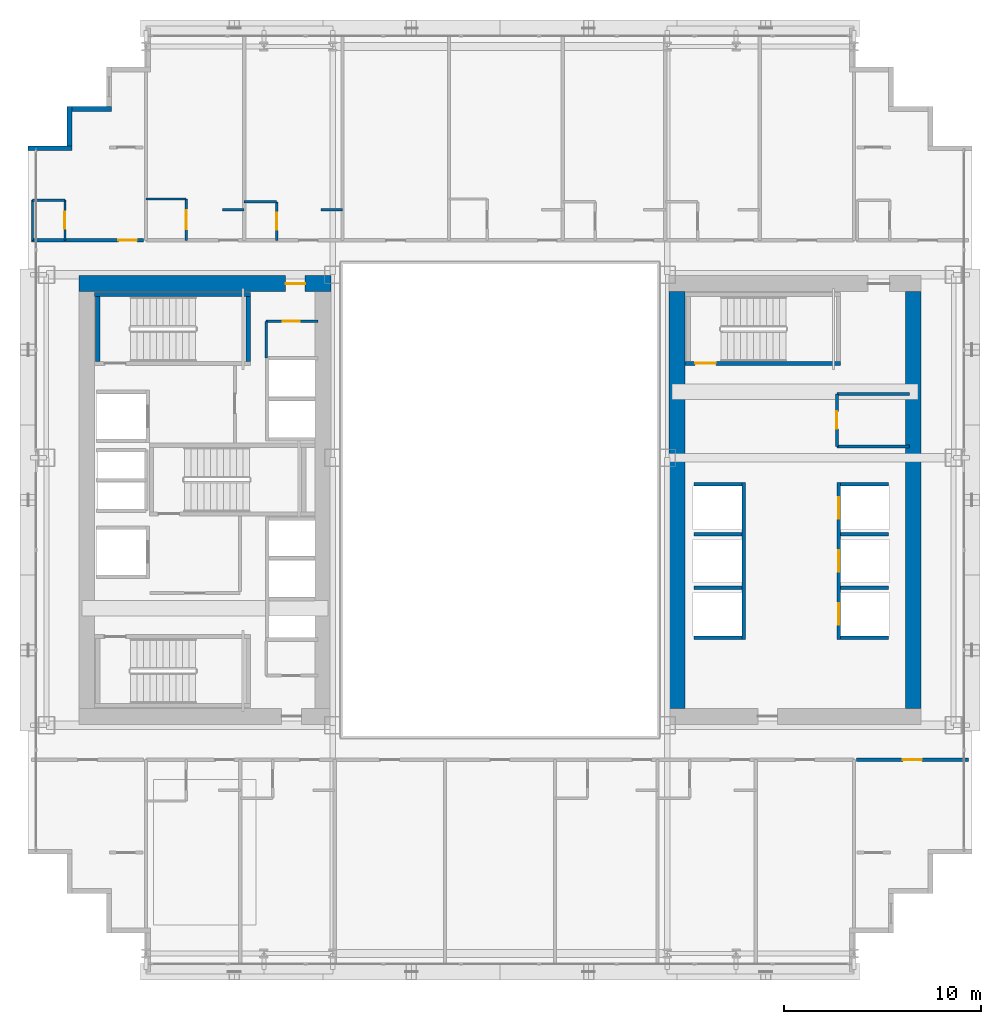
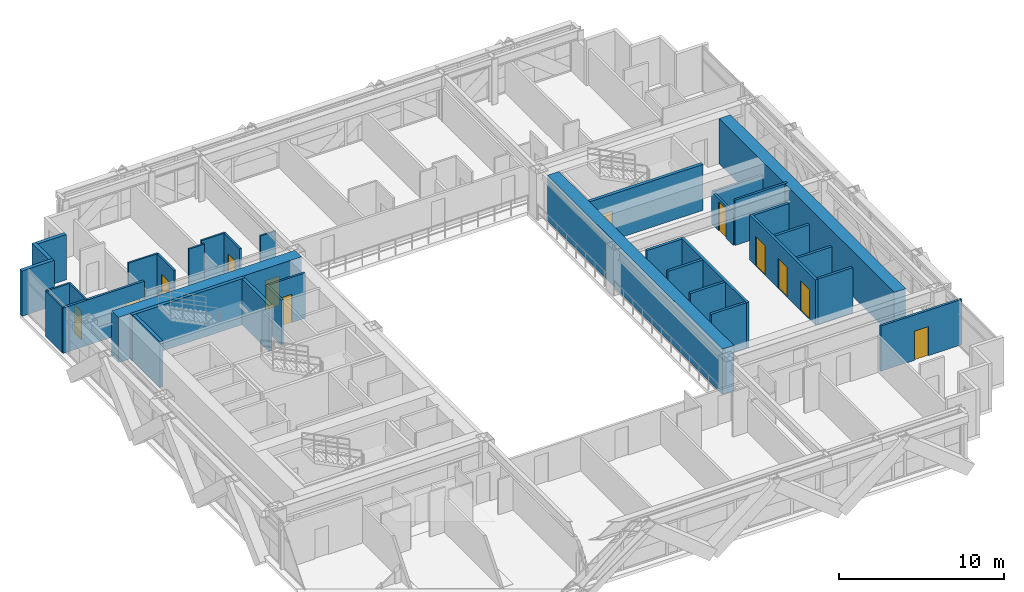
# One storey, part 29 of 35: 36 walls, 12 doors, 12 openings.
"""IFC4 building model written with IfcOpenShell, lengths in metres."""

from ifc_helpers import new_model, si_unit, direction, frame, frame_2d, origin, place, context, subcontext, project, spatial, rectangle, extrude, source, transform, mapped, material, layer, layer_set, type_object, element, fill, save


model = new_model("IFC4")

# Units and contexts
model_context = context("Model", 3, precision=1e-05, world=origin(), true_north=direction((0.0, 1.0)))
body_context = subcontext(model_context, "Body", "Model", "MODEL_VIEW")
ifc_project = project(units=[si_unit("LENGTHUNIT", "METRE"), si_unit("AREAUNIT", "SQUARE_METRE"), si_unit("VOLUMEUNIT", "CUBIC_METRE"), si_unit("PLANEANGLEUNIT", "RADIAN"), si_unit("MASSUNIT", "GRAM", prefix="KILO")], contexts=[model_context])

# Site, building, storey
site_placement = place(None, origin())
site = spatial("IfcSite", under=ifc_project, at=site_placement, CompositionType="ELEMENT")
building_placement = place(site_placement, origin())
building = spatial("IfcBuilding", under=site, at=building_placement, Name="Ocotamira Hotel", CompositionType="ELEMENT")
storey_placement = place(building_placement, frame((0.0, 0.0, 70.800048828125)))
storey = spatial("IfcBuildingStorey", under=building, at=storey_placement, Name="L17", CompositionType="ELEMENT", Elevation=70.800048828125)

# Wall, opening, door
ifc_material_1 = material(Name="Concrete C60/75", Category="concrete")
ifc_layer_1 = layer(ifc_material_1, 0.800048828125)
ifc_layer_set_1 = layer_set([ifc_layer_1], Name="Concrete C60/75")
wall_type_1 = type_object("IfcWallType", Name="WL-CORE-800", PredefinedType="SHEAR", material=ifc_layer_set_1)
wall_1_placement = place(storey_placement, frame((10.60009765625, 37.0, 0.0), z_axis=(0.0, 0.0, 1.0), x_axis=(1.0, 0.0, 0.0)))
wall_1 = element("IfcWall", 1, at=wall_1_placement, inside=storey, type_object=wall_type_1, Name="L17 Shear Core Wall WCORE-N", PredefinedType="SHEAR", context=body_context, shape_type="SweptSolid", body=[
    extrude(rectangle(XDim=12.7998046875, YDim=0.800048828125, at=frame_2d((6.39990234375, 0.0))), origin(), (0.0, 0.0, 1.0), 3.349853515625),
])
opening_1_placement = place(wall_1_placement, frame((10.5, 0.0, 0.0)))
opening_1 = element("IfcOpeningElement", 2, at=opening_1_placement, cuts=wall_1, Name="Opening D-FR2", PredefinedType="OPENING", context=body_context, shape_type="SweptSolid", body=[
    extrude(rectangle(XDim=1.0, YDim=2.14990234375, at=frame_2d((0.5, 1.074951171875))), frame((0.0, 0.41015625, 0.0), z_axis=(0.0, -1.0, 0.0), x_axis=(1.0, 0.0, 0.0)), (0.0, 0.0, 1.0), 0.820068359375),
])
ifc_material_2 = material(Name="Fire-rated acoustic timber-veneer door", Category="wood")
door_type_1 = type_object("IfcDoorType", Name="DR-FIRE-1000", OperationType="NOTDEFINED", PredefinedType="DOOR", material=ifc_material_2)
shared_shape_1 = source(origin(), body_context, "Body", "SweptSolid", [
    extrude(rectangle(XDim=1.0, YDim=2.14990234375, at=frame_2d((0.5, 1.074951171875))), frame((0.0, 0.02490234375, 0.0), z_axis=(0.0, -1.0, 0.0), x_axis=(1.0, 0.0, 0.0)), (0.0, 0.0, 1.0), 0.050048828125),
])
door_1_placement = place(opening_1_placement, origin())
door_1 = element("IfcDoor", 3, at=door_1_placement, inside=storey, type_object=door_type_1, Name="L17 Door ID-L17-WLOB-N-D [ID-L17-WLOB-N-D]", OperationType="SINGLE_SWING_RIGHT", OverallHeight=2.14990234375, OverallWidth=1.0, PredefinedType="DOOR", context=body_context, shape_type="MappedRepresentation", body=[
    mapped(shared_shape_1, transform((0.0, 0.0, 0.0), scale=1.0)),
])
fill(opening_1, door_1)

# Walls
for number, where, z_axis, x_axis, name in (
    (4, (41.0, 15.39990234375, 0.0), (0.0, 0.0, 1.0), (0.0, 1.0, 0.0), "L17 Shear Core Wall ECORE-W"),
    (5, (53.0, 15.39990234375, 0.0), (0.0, 0.0, 1.0), (0.0, 1.0, 0.0), "L17 Shear Core Wall ECORE-E"),
):
    element("IfcWall", number, at=place(storey_placement, frame(where, z_axis=z_axis, x_axis=x_axis)), inside=storey, type_object=wall_type_1, Name=name, PredefinedType="SHEAR", context=body_context, shape_type="SweptSolid", body=[
        extrude(rectangle(XDim=21.2001953125, YDim=0.800048828125, at=frame_2d((10.60009765625, 0.0))), origin(), (0.0, 0.0, 1.0), 3.349853515625),
    ])
ifc_material_3 = material(Name="Precast concrete C45/55", Category="concrete")
ifc_layer_2 = layer(ifc_material_3, 0.25)
ifc_layer_set_2 = layer_set([ifc_layer_2], Name="Precast concrete C45/55")
wall_type_2 = type_object("IfcWallType", Name="WL-EXT-SER-250", PredefinedType="SOLIDWALL", material=ifc_layer_set_2)
for number, where, z_axis, x_axis, name in (
    (6, (12.25, 45.875, 0.0), (0.0, 0.0, 1.0), (-1.0, 0.0, 0.0), "L17 Serrated Corner Wall 16"),
    (7, (10.125, 46.0, 0.0), (0.0, 0.0, 1.0), (0.0, -1.0, 0.0), "L17 Serrated Corner Wall 17"),
):
    element("IfcWall", number, at=place(storey_placement, frame(where, z_axis=z_axis, x_axis=x_axis)), inside=storey, type_object=wall_type_2, Name=name, PredefinedType="SOLIDWALL", context=body_context, shape_type="SweptSolid", body=[
        extrude(rectangle(XDim=2.0, YDim=0.25, at=frame_2d((1.0, 0.0))), origin(), (0.0, 0.0, 1.0), 3.349853515625),
    ])
wall_2_placement = place(storey_placement, frame((10.25, 43.875, 0.0), z_axis=(0.0, 0.0, 1.0), x_axis=(-1.0, 0.0, 0.0)))
element("IfcWall", 8, at=wall_2_placement, inside=storey, type_object=wall_type_2, Name="L17 Serrated Corner Wall 18", PredefinedType="SOLIDWALL", context=body_context, shape_type="SweptSolid", body=[
    extrude(rectangle(XDim=2.25, YDim=0.25, at=frame_2d((1.125, 0.0))), origin(), (0.0, 0.0, 1.0), 3.349853515625),
])
ifc_material_4 = material(Name="Acoustic double-layer fire gypsum board partition", Category="gypsum")
ifc_layer_3 = layer(ifc_material_4, 0.159912109375)
ifc_layer_set_3 = layer_set([ifc_layer_3], Name="Acoustic double-layer fire gypsum board partition")
wall_type_3 = type_object("IfcWallType", Name="WL-FIRE-160", PredefinedType="PARTITIONING", material=ifc_layer_set_3)
wall_3_placement = place(storey_placement, frame((49.1201171875, 28.719970703125, 0.0), z_axis=(0.0, 0.0, 1.0), x_axis=(1.0, 0.0, 0.0)))
element("IfcWall", 9, at=wall_3_placement, inside=storey, type_object=wall_type_3, Name="L17 Interior Wall PW-L17-EC-NEC-S", PredefinedType="PARTITIONING", context=body_context, shape_type="SweptSolid", body=[
    extrude(rectangle(XDim=3.679931640625, YDim=0.159912109375, at=frame_2d((1.83984375, 0.0))), origin(), (0.0, 0.0, 1.0), 3.349853515625),
])
wall_4_placement = place(storey_placement, frame((49.1201171875, 31.3798828125, 0.0), z_axis=(0.0, 0.0, 1.0), x_axis=(1.0, 0.0, 0.0)))
element("IfcWall", 10, at=wall_4_placement, inside=storey, type_object=wall_type_3, Name="L17 Interior Wall PW-L17-EC-NEC-N", PredefinedType="PARTITIONING", context=body_context, shape_type="SweptSolid", body=[
    extrude(rectangle(XDim=3.679931640625, YDim=0.159912109375, at=frame_2d((1.83984375, 0.0))), origin(), (0.0, 0.0, 1.0), 2.35986328125),
])

# Wall, opening, door
wall_5_placement = place(storey_placement, frame((49.1201171875, 28.719970703125, 0.0), z_axis=(0.0, 0.0, 1.0), x_axis=(0.0, 1.0, 0.0)))
wall_5 = element("IfcWall", 11, at=wall_5_placement, inside=storey, type_object=wall_type_3, Name="L17 Interior Wall PW-L17-EC-NEC-W", PredefinedType="PARTITIONING", context=body_context, shape_type="SweptSolid", body=[
    extrude(rectangle(XDim=2.659912109375, YDim=0.159912109375, at=frame_2d((1.330078125, 0.0))), origin(), (0.0, 0.0, 1.0), 2.35986328125),
])
opening_2_placement = place(wall_5_placement, frame((0.89990234375, 0.0, 0.0)))
opening_2 = element("IfcOpeningElement", 12, at=opening_2_placement, cuts=wall_5, Name="Opening D-SV2", PredefinedType="OPENING", context=body_context, shape_type="SweptSolid", body=[
    extrude(rectangle(XDim=0.8798828125, YDim=2.14990234375, at=frame_2d((0.43994140625, 1.074951171875))), frame((0.0, 0.08984375, 0.0), z_axis=(0.0, -1.0, 0.0), x_axis=(1.0, 0.0, 0.0)), (0.0, 0.0, 1.0), 0.179931640625),
])
ifc_material_5 = material(Name="Fire-rated painted steel service door", Category="steel")
door_type_2 = type_object("IfcDoorType", Name="DR-SERV-880", OperationType="NOTDEFINED", PredefinedType="DOOR", material=ifc_material_5)
shared_shape_2 = source(origin(), body_context, "Body", "SweptSolid", [
    extrude(rectangle(XDim=0.8798828125, YDim=2.14990234375, at=frame_2d((0.43994140625, 1.074951171875))), frame((0.0, 0.02490234375, 0.0), z_axis=(0.0, -1.0, 0.0), x_axis=(1.0, 0.0, 0.0)), (0.0, 0.0, 1.0), 0.050048828125),
])
door_2_placement = place(opening_2_placement, origin())
door_2 = element("IfcDoor", 13, at=door_2_placement, inside=storey, type_object=door_type_2, Name="L17 Door ID-L17-EC-NEC-D [ID-L17-EC-NEC-D]", OperationType="SINGLE_SWING_LEFT", OverallHeight=2.14990234375, OverallWidth=0.8798828125, PredefinedType="DOOR", context=body_context, shape_type="MappedRepresentation", body=[
    mapped(shared_shape_2, transform((0.0, 0.0, 0.0), scale=1.0)),
])
fill(opening_2, door_2)

wall_6_placement = place(storey_placement, frame((50.1201171875, 12.800048828125, 0.0), z_axis=(0.0, 0.0, 1.0), x_axis=(1.0, 0.0, 0.0)))
wall_6 = element("IfcWall", 14, at=wall_6_placement, inside=storey, type_object=wall_type_3, Name="L17 Interior Wall PW-L17-Z1D-CSE-CW", PredefinedType="PARTITIONING", context=body_context, shape_type="SweptSolid", body=[
    extrude(rectangle(XDim=5.679931640625, YDim=0.159912109375, at=frame_2d((2.83984375, 0.0))), origin(), (0.0, 0.0, 1.0), 3.349853515625),
])
opening_3_placement = place(wall_6_placement, frame((2.360107421875, 0.0, 0.0)))
opening_3 = element("IfcOpeningElement", 15, at=opening_3_placement, cuts=wall_6, Name="Opening D-SV4", PredefinedType="OPENING", context=body_context, shape_type="SweptSolid", body=[
    extrude(rectangle(XDim=0.9599609375, YDim=2.14990234375, at=frame_2d((0.47998046875, 1.074951171875))), frame((0.0, 0.08984375, 0.0), z_axis=(0.0, -1.0, 0.0), x_axis=(1.0, 0.0, 0.0)), (0.0, 0.0, 1.0), 0.179931640625),
])
ifc_material_6 = material(Name="Fire-rated accessible walnut salon door", Category="wood")
door_type_3 = type_object("IfcDoorType", Name="DR-SERV-960", OperationType="NOTDEFINED", PredefinedType="DOOR", material=ifc_material_6)
shared_shape_3 = source(origin(), body_context, "Body", "SweptSolid", [
    extrude(rectangle(XDim=0.9599609375, YDim=2.14990234375, at=frame_2d((0.47998046875, 1.074951171875))), frame((0.0, 0.02490234375, 0.0), z_axis=(0.0, -1.0, 0.0), x_axis=(1.0, 0.0, 0.0)), (0.0, 0.0, 1.0), 0.050048828125),
])
door_3_placement = place(opening_3_placement, origin())
door_3 = element("IfcDoor", 16, at=door_3_placement, inside=storey, type_object=door_type_3, Name="L17 Door ID-L17-Z1D-CSE-CD [ID-L17-Z1D-CSE-CD]", OperationType="SINGLE_SWING_LEFT", OverallHeight=2.14990234375, OverallWidth=0.9599609375, PredefinedType="DOOR", context=body_context, shape_type="MappedRepresentation", body=[
    mapped(shared_shape_3, transform((0.0, 0.0, 0.0), scale=1.0)),
])
fill(opening_3, door_3)

wall_7_placement = place(storey_placement, frame((8.199951171875, 39.199951171875, 0.0), z_axis=(0.0, 0.0, 1.0), x_axis=(1.0, 0.0, 0.0)))
wall_7 = element("IfcWall", 17, at=wall_7_placement, inside=storey, type_object=wall_type_3, Name="L17 Interior Wall PW-L17-Z1D-CNW-CW", PredefinedType="PARTITIONING", context=body_context, shape_type="SweptSolid", body=[
    extrude(rectangle(XDim=5.679931640625, YDim=0.159912109375, at=frame_2d((2.83984375, 0.0))), origin(), (0.0, 0.0, 1.0), 3.349853515625),
])
opening_4_placement = place(wall_7_placement, frame((4.39990234375, 0.0, 0.0)))
opening_4 = element("IfcOpeningElement", 18, at=opening_4_placement, cuts=wall_7, Name="Opening D-GR1", PredefinedType="OPENING", context=body_context, shape_type="SweptSolid", body=[
    extrude(rectangle(XDim=0.93994140625, YDim=2.14990234375, at=frame_2d((0.469970703125, 1.074951171875))), frame((0.0, 0.08984375, 0.0), z_axis=(0.0, -1.0, 0.0), x_axis=(1.0, 0.0, 0.0)), (0.0, 0.0, 1.0), 0.179931640625),
])
ifc_material_7 = material(Name="Solid-core walnut suite entrance fire door", Category="wood")
door_type_4 = type_object("IfcDoorType", Name="DR-GUEST-940", OperationType="NOTDEFINED", PredefinedType="DOOR", material=ifc_material_7)
shared_shape_4 = source(origin(), body_context, "Body", "SweptSolid", [
    extrude(rectangle(XDim=0.93994140625, YDim=2.14990234375, at=frame_2d((0.469970703125, 1.074951171875))), frame((0.0, 0.02490234375, 0.0), z_axis=(0.0, -1.0, 0.0), x_axis=(1.0, 0.0, 0.0)), (0.0, 0.0, 1.0), 0.050048828125),
])
door_4_placement = place(opening_4_placement, origin())
door_4 = element("IfcDoor", 19, at=door_4_placement, inside=storey, type_object=door_type_4, Name="L17 Door ID-L17-Z1D-CNW-CD [ID-L17-Z1D-CNW-CD]", OperationType="SINGLE_SWING_RIGHT", OverallHeight=2.14990234375, OverallWidth=0.93994140625, PredefinedType="DOOR", context=body_context, shape_type="MappedRepresentation", body=[
    mapped(shared_shape_4, transform((0.0, 0.0, 0.0), scale=1.0)),
])
fill(opening_4, door_4)

ifc_material_8 = material(Name="Moisture-resistant en-suite tile and gypsum partition", Category="gypsum")
ifc_layer_4 = layer(ifc_material_8, 0.1201171875)
ifc_layer_set_4 = layer_set([ifc_layer_4], Name="Moisture-resistant en-suite tile and gypsum partition")
wall_type_4 = type_object("IfcWallType", Name="WL-PART-120", PredefinedType="PARTITIONING", material=ifc_layer_set_4)
wall_8_placement = place(storey_placement, frame((9.889892578125, 39.199951171875, 0.0), z_axis=(0.0, 0.0, 1.0), x_axis=(0.0, 1.0, 0.0)))
wall_8 = element("IfcWall", 20, at=wall_8_placement, inside=storey, type_object=wall_type_4, Name="L17 Interior Wall PW-L17-Z1D-CNW-BE", PredefinedType="PARTITIONING", context=body_context, shape_type="SweptSolid", body=[
    extrude(rectangle(XDim=2.0400390625, YDim=0.1201171875, at=frame_2d((1.02001953125, 0.0))), origin(), (0.0, 0.0, 1.0), 3.349853515625),
])
opening_5_placement = place(wall_8_placement, frame((0.590087890625, 0.0, 0.0)))
opening_5 = element("IfcOpeningElement", 21, at=opening_5_placement, cuts=wall_8, Name="Opening D-BA1", PredefinedType="OPENING", context=body_context, shape_type="SweptSolid", body=[
    extrude(rectangle(XDim=0.860107421875, YDim=2.10009765625, at=frame_2d((0.43017578125, 1.050048828125))), frame((0.0, 0.070068359375, 0.0), z_axis=(0.0, -1.0, 0.0), x_axis=(1.0, 0.0, 0.0)), (0.0, 0.0, 1.0), 0.14013671875),
])
ifc_material_9 = material(Name="Moisture-sealed en-suite timber door", Category="wood")
door_type_5 = type_object("IfcDoorType", Name="DR-BATH-860", OperationType="NOTDEFINED", PredefinedType="DOOR", material=ifc_material_9)
shared_shape_5 = source(origin(), body_context, "Body", "SweptSolid", [
    extrude(rectangle(XDim=0.860107421875, YDim=2.10009765625, at=frame_2d((0.43017578125, 1.050048828125))), frame((0.0, 0.02490234375, 0.0), z_axis=(0.0, -1.0, 0.0), x_axis=(1.0, 0.0, 0.0)), (0.0, 0.0, 1.0), 0.050048828125),
])
door_5_placement = place(opening_5_placement, origin())
door_5 = element("IfcDoor", 22, at=door_5_placement, inside=storey, type_object=door_type_5, Name="L17 Door ID-L17-Z1D-CNW-BD [ID-L17-Z1D-CNW-BD]", OperationType="SINGLE_SWING_LEFT", OverallHeight=2.10009765625, OverallWidth=0.860107421875, PredefinedType="DOOR", context=body_context, shape_type="MappedRepresentation", body=[
    mapped(shared_shape_5, transform((0.0, 0.0, 0.0), scale=1.0)),
])
fill(opening_5, door_5)

# Walls
wall_9_placement = place(storey_placement, frame((8.239990234375, 39.199951171875, 0.0), z_axis=(0.0, 0.0, 1.0), x_axis=(0.0, 1.0, 0.0)))
element("IfcWall", 23, at=wall_9_placement, inside=storey, type_object=wall_type_4, Name="L17 Interior Wall PW-L17-Z1D-CNW-BW", PredefinedType="PARTITIONING", context=body_context, shape_type="SweptSolid", body=[
    extrude(rectangle(XDim=2.0400390625, YDim=0.1201171875, at=frame_2d((1.02001953125, 0.0))), origin(), (0.0, 0.0, 1.0), 3.349853515625),
])
wall_10_placement = place(storey_placement, frame((8.239990234375, 41.239990234375, 0.0), z_axis=(0.0, 0.0, 1.0), x_axis=(1.0, 0.0, 0.0)))
element("IfcWall", 24, at=wall_10_placement, inside=storey, type_object=wall_type_4, Name="L17 Interior Wall PW-L17-Z1D-CNW-BH", PredefinedType="PARTITIONING", context=body_context, shape_type="SweptSolid", body=[
    extrude(rectangle(XDim=1.64990234375, YDim=0.1201171875, at=frame_2d((0.824951171875, 0.0))), origin(), (0.0, 0.0, 1.0), 3.349853515625),
])

# Wall, opening, door
wall_11_placement = place(storey_placement, frame((16.050048828125, 39.199951171875, 0.0), z_axis=(0.0, 0.0, 1.0), x_axis=(0.0, 1.0, 0.0)))
wall_11 = element("IfcWall", 25, at=wall_11_placement, inside=storey, type_object=wall_type_4, Name="L17 Interior Wall PW-L17-Z1DN-BAE1", PredefinedType="PARTITIONING", context=body_context, shape_type="SweptSolid", body=[
    extrude(rectangle(XDim=2.10009765625, YDim=0.1201171875, at=frame_2d((1.050048828125, 0.0))), origin(), (0.0, 0.0, 1.0), 3.349853515625),
])
opening_6_placement = place(wall_11_placement, frame((0.570068359375, 0.0, 0.0)))
opening_6 = element("IfcOpeningElement", 26, at=opening_6_placement, cuts=wall_11, Name="Opening D-IN1", PredefinedType="OPENING", context=body_context, shape_type="SweptSolid", body=[
    extrude(rectangle(XDim=0.9599609375, YDim=2.14990234375, at=frame_2d((0.47998046875, 1.074951171875))), frame((0.0, 0.070068359375, 0.0), z_axis=(0.0, -1.0, 0.0), x_axis=(1.0, 0.0, 0.0)), (0.0, 0.0, 1.0), 0.14013671875),
])
ifc_material_10 = material(Name="Accessible walnut interior room door", Category="wood")
door_type_6 = type_object("IfcDoorType", Name="DR-INT-960", OperationType="NOTDEFINED", PredefinedType="DOOR", material=ifc_material_10)
door_6_placement = place(opening_6_placement, origin())
door_6 = element("IfcDoor", 27, at=door_6_placement, inside=storey, type_object=door_type_6, Name="L17 Door ID-L17-Z1DN-BAD1 [ID-L17-Z1DN-BAD1]", OperationType="SINGLE_SWING_RIGHT", OverallHeight=2.14990234375, OverallWidth=0.9599609375, PredefinedType="DOOR", context=body_context, shape_type="MappedRepresentation", body=[
    mapped(shared_shape_3, transform((0.0, 0.0, 0.0), scale=1.0)),
])
fill(opening_6, door_6)

# Walls
wall_12_placement = place(storey_placement, frame((14.0, 41.300048828125, 0.0), z_axis=(0.0, 0.0, 1.0), x_axis=(1.0, 0.0, 0.0)))
element("IfcWall", 28, at=wall_12_placement, inside=storey, type_object=wall_type_4, Name="L17 Interior Wall PW-L17-Z1DN-BAN1", PredefinedType="PARTITIONING", context=body_context, shape_type="SweptSolid", body=[
    extrude(rectangle(XDim=2.050048828125, YDim=0.1201171875, at=frame_2d((1.02490234375, 0.0))), origin(), (0.0, 0.0, 1.0), 3.349853515625),
])
wall_13_placement = place(storey_placement, frame((17.89990234375, 40.75, 0.0), z_axis=(0.0, 0.0, 1.0), x_axis=(1.0, 0.0, 0.0)))
element("IfcWall", 29, at=wall_13_placement, inside=storey, type_object=wall_type_4, Name="L17 Interior Wall PW-L17-Z1DN-DRN1", PredefinedType="PARTITIONING", context=body_context, shape_type="SweptSolid", body=[
    extrude(rectangle(XDim=1.10009765625, YDim=0.1201171875, at=frame_2d((0.550048828125, 0.0))), origin(), (0.0, 0.0, 1.0), 3.349853515625),
])

# Wall, opening, door
wall_14_placement = place(storey_placement, frame((20.64990234375, 39.199951171875, 0.0), z_axis=(0.0, 0.0, 1.0), x_axis=(0.0, 1.0, 0.0)))
wall_14 = element("IfcWall", 30, at=wall_14_placement, inside=storey, type_object=wall_type_4, Name="L17 Interior Wall PW-L17-Z1DN-BAE2", PredefinedType="PARTITIONING", context=body_context, shape_type="SweptSolid", body=[
    extrude(rectangle(XDim=1.949951171875, YDim=0.1201171875, at=frame_2d((0.97509765625, 0.0))), origin(), (0.0, 0.0, 1.0), 3.349853515625),
])
opening_7_placement = place(wall_14_placement, frame((0.544921875, 0.0, 0.0)))
opening_7 = element("IfcOpeningElement", 31, at=opening_7_placement, cuts=wall_14, Name="Opening D-BA1", PredefinedType="OPENING", context=body_context, shape_type="SweptSolid", body=[
    extrude(rectangle(XDim=0.860107421875, YDim=2.10009765625, at=frame_2d((0.43017578125, 1.050048828125))), frame((0.0, 0.070068359375, 0.0), z_axis=(0.0, -1.0, 0.0), x_axis=(1.0, 0.0, 0.0)), (0.0, 0.0, 1.0), 0.14013671875),
])
door_7_placement = place(opening_7_placement, origin())
door_7 = element("IfcDoor", 32, at=door_7_placement, inside=storey, type_object=door_type_5, Name="L17 Door ID-L17-Z1DN-BAD2 [ID-L17-Z1DN-BAD2]", OperationType="SINGLE_SWING_LEFT", OverallHeight=2.10009765625, OverallWidth=0.860107421875, PredefinedType="DOOR", context=body_context, shape_type="MappedRepresentation", body=[
    mapped(shared_shape_5, transform((0.0, 0.0, 0.0), scale=1.0)),
])
fill(opening_7, door_7)

# Walls
wall_15_placement = place(storey_placement, frame((19.0, 41.14990234375, 0.0), z_axis=(0.0, 0.0, 1.0), x_axis=(1.0, 0.0, 0.0)))
element("IfcWall", 33, at=wall_15_placement, inside=storey, type_object=wall_type_4, Name="L17 Interior Wall PW-L17-Z1DN-BAN2", PredefinedType="PARTITIONING", context=body_context, shape_type="SweptSolid", body=[
    extrude(rectangle(XDim=1.64990234375, YDim=0.1201171875, at=frame_2d((0.824951171875, 0.0))), origin(), (0.0, 0.0, 1.0), 3.349853515625),
])
wall_16_placement = place(storey_placement, frame((22.89990234375, 40.75, 0.0), z_axis=(0.0, 0.0, 1.0), x_axis=(1.0, 0.0, 0.0)))
element("IfcWall", 34, at=wall_16_placement, inside=storey, type_object=wall_type_4, Name="L17 Interior Wall PW-L17-Z1DN-DRN2", PredefinedType="PARTITIONING", context=body_context, shape_type="SweptSolid", body=[
    extrude(rectangle(XDim=1.10009765625, YDim=0.1201171875, at=frame_2d((0.550048828125, 0.0))), origin(), (0.0, 0.0, 1.0), 2.571044921875),
])
ifc_material_11 = material(Name="Acoustic hospitality gypsum board partition", Category="gypsum")
ifc_layer_5 = layer(ifc_material_11, 0.14208984375)
ifc_layer_set_5 = layer_set([ifc_layer_5], Name="Acoustic hospitality gypsum board partition")
wall_type_5 = type_object("IfcWallType", Name="WL-PART-142", PredefinedType="PARTITIONING", material=ifc_layer_set_5)
wall_17_placement = place(storey_placement, frame((20.1201171875, 33.219970703125, 0.0), z_axis=(0.0, 0.0, 1.0), x_axis=(0.0, 1.0, 0.0)))
element("IfcWall", 35, at=wall_17_placement, inside=storey, type_object=wall_type_5, Name="L17 Interior Wall PW-L17-WC-NE-W2", PredefinedType="PARTITIONING", context=body_context, shape_type="SweptSolid", body=[
    extrude(rectangle(XDim=1.860107421875, YDim=0.14208984375, at=frame_2d((0.93017578125, 0.0))), origin(), (0.0, 0.0, 1.0), 3.349853515625),
])

# Wall, opening, door
wall_18_placement = place(storey_placement, frame((20.1201171875, 35.080078125, 0.0), z_axis=(0.0, 0.0, 1.0), x_axis=(1.0, 0.0, 0.0)))
wall_18 = element("IfcWall", 36, at=wall_18_placement, inside=storey, type_object=wall_type_5, Name="L17 Interior Wall PW-L17-WC-NE-N2", PredefinedType="PARTITIONING", context=body_context, shape_type="SweptSolid", body=[
    extrude(rectangle(XDim=2.6298828125, YDim=0.14208984375, at=frame_2d((1.31494140625, 0.0))), origin(), (0.0, 0.0, 1.0), 3.349853515625),
])
opening_8_placement = place(wall_18_placement, frame((0.85009765625, 0.0, 0.0)))
opening_8 = element("IfcOpeningElement", 37, at=opening_8_placement, cuts=wall_18, Name="Opening D-SV1", PredefinedType="OPENING", context=body_context, shape_type="SweptSolid", body=[
    extrude(rectangle(XDim=0.840087890625, YDim=2.10009765625, at=frame_2d((0.419921875, 1.050048828125))), frame((0.0, 0.0810546875, 0.0), z_axis=(0.0, -1.0, 0.0), x_axis=(1.0, 0.0, 0.0)), (0.0, 0.0, 1.0), 0.162109375),
])
door_type_7 = type_object("IfcDoorType", Name="DR-SERV-840", OperationType="NOTDEFINED", PredefinedType="DOOR", material=ifc_material_5)
shared_shape_6 = source(origin(), body_context, "Body", "SweptSolid", [
    extrude(rectangle(XDim=0.840087890625, YDim=2.10009765625, at=frame_2d((0.419921875, 1.050048828125))), frame((0.0, 0.02490234375, 0.0), z_axis=(0.0, -1.0, 0.0), x_axis=(1.0, 0.0, 0.0)), (0.0, 0.0, 1.0), 0.050048828125),
])
door_8_placement = place(opening_8_placement, origin())
door_8 = element("IfcDoor", 38, at=door_8_placement, inside=storey, type_object=door_type_7, Name="L17 Door ID-L17-WC-NE-D2 [ID-L17-WC-NE-D2]", OperationType="SINGLE_SWING_RIGHT", OverallHeight=2.10009765625, OverallWidth=0.840087890625, PredefinedType="DOOR", context=body_context, shape_type="MappedRepresentation", body=[
    mapped(shared_shape_6, transform((0.0, 0.0, 0.0), scale=1.0)),
])
fill(opening_8, door_8)

# Wall, openings, doors
ifc_material_12 = material(Name="Fire-rated gypsum shaftliner board assembly", Category="gypsum")
ifc_layer_6 = layer(ifc_material_12, 0.179931640625)
ifc_layer_set_6 = layer_set([ifc_layer_6], Name="Fire-rated gypsum shaftliner board assembly")
wall_type_6 = type_object("IfcWallType", Name="WL-SHAFT-180", PredefinedType="SOLIDWALL", material=ifc_layer_set_6)
wall_19_placement = place(storey_placement, frame((49.2099609375, 18.919921875, 0.0), z_axis=(0.0, 0.0, 1.0), x_axis=(0.0, 1.0, 0.0)))
wall_19 = element("IfcWall", 39, at=wall_19_placement, inside=storey, type_object=wall_type_6, Name="L17 Interior Wall PW-L17-LFW-BANK-low-F", PredefinedType="SOLIDWALL", context=body_context, shape_type="SweptSolid", body=[
    extrude(rectangle(XDim=7.9599609375, YDim=0.179931640625, at=frame_2d((3.97998046875, 0.0))), origin(), (0.0, 0.0, 1.0), 3.349853515625),
])
opening_9_placement = place(wall_19_placement, frame((0.72998046875, 0.0, 0.0)))
opening_9 = element("IfcOpeningElement", 40, at=opening_9_placement, cuts=wall_19, Name="Opening LD-LF-P1", PredefinedType="OPENING", context=body_context, shape_type="SweptSolid", body=[
    extrude(rectangle(XDim=1.10009765625, YDim=2.199951171875, at=frame_2d((0.550048828125, 1.10009765625))), frame((0.0, 0.10009765625, 0.0), z_axis=(0.0, -1.0, 0.0), x_axis=(1.0, 0.0, 0.0)), (0.0, 0.0, 1.0), 0.199951171875),
])
opening_10_placement = place(wall_19_placement, frame((3.429931640625, 0.0, 0.0)))
opening_10 = element("IfcOpeningElement", 41, at=opening_10_placement, cuts=wall_19, Name="Opening LD-LF-P2", PredefinedType="OPENING", context=body_context, shape_type="SweptSolid", body=[
    extrude(rectangle(XDim=1.10009765625, YDim=2.199951171875, at=frame_2d((0.550048828125, 1.10009765625))), frame((0.0, 0.10009765625, 0.0), z_axis=(0.0, -1.0, 0.0), x_axis=(1.0, 0.0, 0.0)), (0.0, 0.0, 1.0), 0.199951171875),
])
opening_11_placement = place(wall_19_placement, frame((6.1298828125, 0.0, 0.0)))
opening_11 = element("IfcOpeningElement", 42, at=opening_11_placement, cuts=wall_19, Name="Opening LD-LF-P3", PredefinedType="OPENING", context=body_context, shape_type="SweptSolid", body=[
    extrude(rectangle(XDim=1.10009765625, YDim=2.199951171875, at=frame_2d((0.550048828125, 1.10009765625))), frame((0.0, 0.10009765625, 0.0), z_axis=(0.0, -1.0, 0.0), x_axis=(1.0, 0.0, 0.0)), (0.0, 0.0, 1.0), 0.199951171875),
])
ifc_material_13 = material(Name="Brushed pale-metal stainless elevator landing door", Category="steel")
door_type_8 = type_object("IfcDoorType", Name="DR-LIFT-1100", OperationType="NOTDEFINED", PredefinedType="DOOR", material=ifc_material_13)
shared_shape_7 = source(origin(), body_context, "Body", "SweptSolid", [
    extrude(rectangle(XDim=1.10009765625, YDim=2.199951171875, at=frame_2d((0.550048828125, 1.10009765625))), frame((0.0, 0.02490234375, 0.0), z_axis=(0.0, -1.0, 0.0), x_axis=(1.0, 0.0, 0.0)), (0.0, 0.0, 1.0), 0.050048828125),
])
door_9_placement = place(opening_9_placement, origin())
door_9 = element("IfcDoor", 43, at=door_9_placement, inside=storey, type_object=door_type_8, Name="L17 Landing Door LD-LF-P1 [ID-L17-LD-LF-P1]", OperationType="DOUBLE_DOOR_SLIDING", OverallHeight=2.199951171875, OverallWidth=1.10009765625, PredefinedType="DOOR", context=body_context, shape_type="MappedRepresentation", body=[
    mapped(shared_shape_7, transform((0.0, 0.0, 0.0), scale=1.0)),
])
fill(opening_9, door_9)
door_10_placement = place(opening_10_placement, origin())
door_10 = element("IfcDoor", 44, at=door_10_placement, inside=storey, type_object=door_type_8, Name="L17 Landing Door LD-LF-P2 [ID-L17-LD-LF-P2]", OperationType="DOUBLE_DOOR_SLIDING", OverallHeight=2.199951171875, OverallWidth=1.10009765625, PredefinedType="DOOR", context=body_context, shape_type="MappedRepresentation", body=[
    mapped(shared_shape_7, transform((0.0, 0.0, 0.0), scale=1.0)),
])
fill(opening_10, door_10)
door_11_placement = place(opening_11_placement, origin())
door_11 = element("IfcDoor", 45, at=door_11_placement, inside=storey, type_object=door_type_8, Name="L17 Landing Door LD-LF-P3 [ID-L17-LD-LF-P3]", OperationType="DOUBLE_DOOR_SLIDING", OverallHeight=2.199951171875, OverallWidth=1.10009765625, PredefinedType="DOOR", context=body_context, shape_type="MappedRepresentation", body=[
    mapped(shared_shape_7, transform((0.0, 0.0, 0.0), scale=1.0)),
])
fill(opening_11, door_11)

# Walls
for number, where, z_axis, x_axis, name in (
    (46, (49.300048828125, 19.010009765625, 0.0), (0.0, 0.0, 1.0), (1.0, 0.0, 0.0), "L17 Interior Wall PW-L17-LFW-BANK-low-S"),
    (47, (49.300048828125, 26.7900390625, 0.0), (0.0, 0.0, 1.0), (1.0, 0.0, 0.0), "L17 Interior Wall PW-L17-LFW-BANK-low-N"),
    (48, (49.300048828125, 21.550048828125, 0.0), (0.0, 0.0, 1.0), (1.0, 0.0, 0.0), "L17 Interior Wall PW-L17-LFW-DIV-LF-P1"),
    (49, (49.300048828125, 24.25, 0.0), (0.0, 0.0, 1.0), (1.0, 0.0, 0.0), "L17 Interior Wall PW-L17-LFW-DIV-LF-P2"),
):
    element("IfcWall", number, at=place(storey_placement, frame(where, z_axis=z_axis, x_axis=x_axis)), inside=storey, type_object=wall_type_6, Name=name, PredefinedType="SOLIDWALL", context=body_context, shape_type="SweptSolid", body=[
        extrude(rectangle(XDim=2.449951171875, YDim=0.179931640625, at=frame_2d((1.22509765625, 0.0))), origin(), (0.0, 0.0, 1.0), 3.349853515625),
    ])
wall_20_placement = place(storey_placement, frame((44.389892578125, 18.919921875, 0.0), z_axis=(0.0, 0.0, 1.0), x_axis=(0.0, 1.0, 0.0)))
element("IfcWall", 50, at=wall_20_placement, inside=storey, type_object=wall_type_6, Name="L17 Interior Wall PW-L17-LFW-BANK-mid-F", PredefinedType="SOLIDWALL", context=body_context, shape_type="SweptSolid", body=[
    extrude(rectangle(XDim=7.9599609375, YDim=0.179931640625, at=frame_2d((3.97998046875, 0.0))), origin(), (0.0, 0.0, 1.0), 3.349853515625),
])
for number, where, z_axis, x_axis, name in (
    (51, (41.85009765625, 19.010009765625, 0.0), (0.0, 0.0, 1.0), (1.0, 0.0, 0.0), "L17 Interior Wall PW-L17-LFW-BANK-mid-S"),
    (52, (41.85009765625, 26.7900390625, 0.0), (0.0, 0.0, 1.0), (1.0, 0.0, 0.0), "L17 Interior Wall PW-L17-LFW-BANK-mid-N"),
    (53, (41.85009765625, 21.550048828125, 0.0), (0.0, 0.0, 1.0), (1.0, 0.0, 0.0), "L17 Interior Wall PW-L17-LFW-DIV-LF-P4"),
    (54, (41.85009765625, 24.25, 0.0), (0.0, 0.0, 1.0), (1.0, 0.0, 0.0), "L17 Interior Wall PW-L17-LFW-DIV-LF-P5"),
):
    element("IfcWall", number, at=place(storey_placement, frame(where, z_axis=z_axis, x_axis=x_axis)), inside=storey, type_object=wall_type_6, Name=name, PredefinedType="SOLIDWALL", context=body_context, shape_type="SweptSolid", body=[
        extrude(rectangle(XDim=2.449951171875, YDim=0.179931640625, at=frame_2d((1.22509765625, 0.0))), origin(), (0.0, 0.0, 1.0), 3.349853515625),
    ])
ifc_material_14 = material(Name="Concrete C50/60", Category="concrete")
ifc_layer_7 = layer(ifc_material_14, 0.219970703125)
ifc_layer_set_7 = layer_set([ifc_layer_7], Name="Concrete C50/60")
wall_type_7 = type_object("IfcWallType", Name="WL-STAIR-220", PredefinedType="SHEAR", material=ifc_layer_set_7)
wall_21_placement = place(storey_placement, frame((11.39990234375, 36.43994140625, 0.0), z_axis=(0.0, 0.0, 1.0), x_axis=(1.0, 0.0, 0.0)))
element("IfcWall", 55, at=wall_21_placement, inside=storey, type_object=wall_type_7, Name="L17 Stair Shaft Structural Wall ST-2-N", PredefinedType="SHEAR", context=body_context, shape_type="SweptSolid", body=[
    extrude(rectangle(XDim=7.91015625, YDim=0.219970703125, at=frame_2d((3.955078125, 0.0))), origin(), (0.0, 0.0, 1.0), 3.39990234375),
])
for number, where, z_axis, x_axis, name in (
    (56, (11.56005859375, 33.050048828125, 0.0), (0.0, 0.0, 1.0), (0.0, 1.0, 0.0), "L17 Stair Shaft Structural Wall ST-2-W"),
    (57, (19.199951171875, 33.050048828125, 0.0), (0.0, 0.0, 1.0), (0.0, 1.0, 0.0), "L17 Stair Shaft Structural Wall ST-2-E"),
):
    element("IfcWall", number, at=place(storey_placement, frame(where, z_axis=z_axis, x_axis=x_axis)), inside=storey, type_object=wall_type_7, Name=name, PredefinedType="SHEAR", context=body_context, shape_type="SweptSolid", body=[
        extrude(rectangle(XDim=3.280029296875, YDim=0.219970703125, at=frame_2d((1.64013671875, 0.0))), origin(), (0.0, 0.0, 1.0), 3.39990234375),
    ])

# Wall, opening, door
wall_22_placement = place(storey_placement, frame((41.39990234375, 32.93994140625, 0.0), z_axis=(0.0, 0.0, 1.0), x_axis=(1.0, 0.0, 0.0)))
wall_22 = element("IfcWall", 58, at=wall_22_placement, inside=storey, type_object=wall_type_7, Name="L17 Stair Shaft Structural Wall ST-4-S", PredefinedType="SHEAR", context=body_context, shape_type="SweptSolid", body=[
    extrude(rectangle(XDim=7.91015625, YDim=0.219970703125, at=frame_2d((3.955078125, 0.0))), origin(), (0.0, 0.0, 1.0), 3.39990234375),
])
opening_12_placement = place(wall_22_placement, frame((0.52001953125, 0.0, 0.0)))
opening_12 = element("IfcOpeningElement", 59, at=opening_12_placement, cuts=wall_22, Name="Opening D-ST2", PredefinedType="OPENING", context=body_context, shape_type="SweptSolid", body=[
    extrude(rectangle(XDim=1.050048828125, YDim=2.14990234375, at=frame_2d((0.52490234375, 1.074951171875))), frame((0.0, 0.1201171875, 0.0), z_axis=(0.0, -1.0, 0.0), x_axis=(1.0, 0.0, 0.0)), (0.0, 0.0, 1.0), 0.239990234375),
])
ifc_material_15 = material(Name="Insulated painted hollow-metal fire exit door", Category="steel")
door_type_9 = type_object("IfcDoorType", Name="DR-STAIR-1050", OperationType="NOTDEFINED", PredefinedType="DOOR", material=ifc_material_15)
shared_shape_8 = source(origin(), body_context, "Body", "SweptSolid", [
    extrude(rectangle(XDim=1.050048828125, YDim=2.14990234375, at=frame_2d((0.52490234375, 1.074951171875))), frame((0.0, 0.02490234375, 0.0), z_axis=(0.0, -1.0, 0.0), x_axis=(1.0, 0.0, 0.0)), (0.0, 0.0, 1.0), 0.050048828125),
])
door_12_placement = place(opening_12_placement, origin())
door_12 = element("IfcDoor", 60, at=door_12_placement, inside=storey, type_object=door_type_9, Name="L17 Door ID-L17-STD-ST-4 [ID-L17-STD-ST-4]", OperationType="SINGLE_SWING_LEFT", OverallHeight=2.14990234375, OverallWidth=1.050048828125, PredefinedType="DOOR", context=body_context, shape_type="MappedRepresentation", body=[
    mapped(shared_shape_8, transform((0.0, 0.0, 0.0), scale=1.0)),
])
fill(opening_12, door_12)

save(model, "model.ifc")
